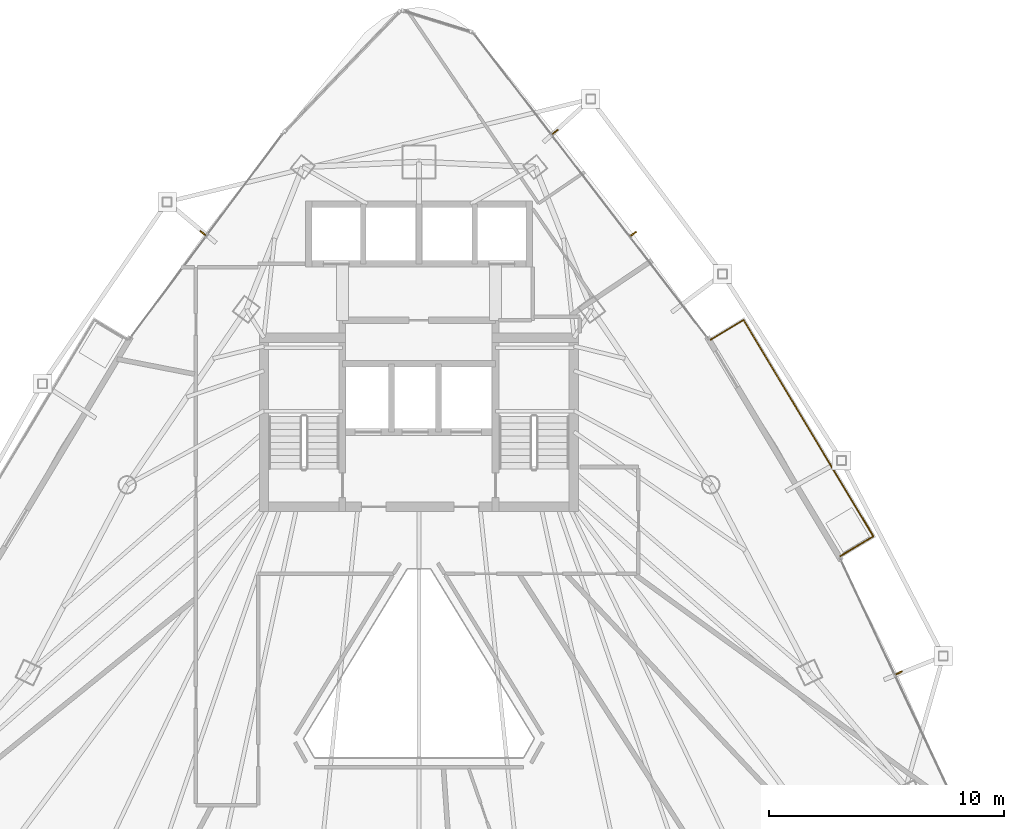
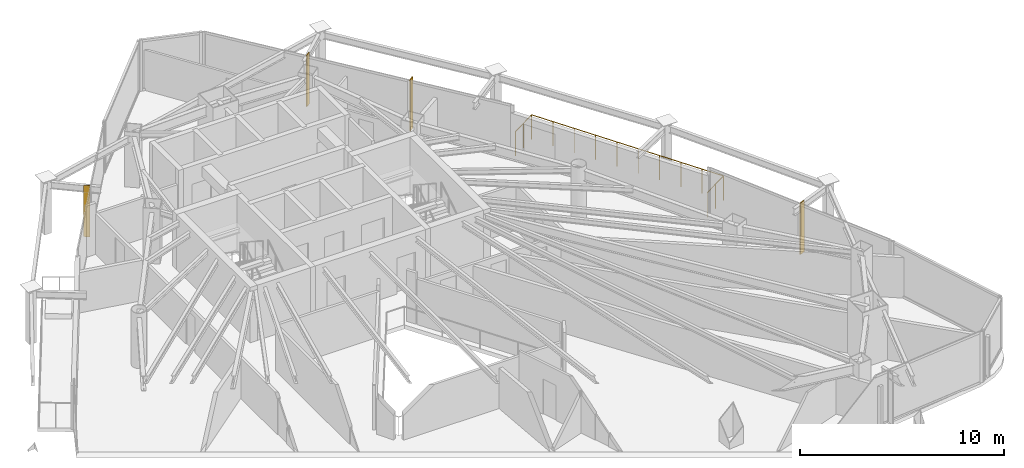
# One storey, part 29 of 29: 4 shading devices, 1 railing.
"""IFC4 building model written with IfcOpenShell, lengths in metres."""

from ifc_helpers import new_model, si_unit, direction, frame, origin, origin_2d, place, context, subcontext, project, spatial, rectangle, circle, extrude, material, layer, layer_set, type_object, element, save


model = new_model("IFC4")

# Units and contexts
model_context = context("Model", 3, precision=1e-05, world=origin(), true_north=direction((0.0, 1.0)))
body_context = subcontext(model_context, "Body", "Model", "MODEL_VIEW")
ifc_project = project(units=[si_unit("LENGTHUNIT", "METRE"), si_unit("AREAUNIT", "SQUARE_METRE"), si_unit("VOLUMEUNIT", "CUBIC_METRE"), si_unit("PLANEANGLEUNIT", "RADIAN"), si_unit("MASSUNIT", "GRAM", prefix="KILO")], contexts=[model_context])

# Site, building, storey
site_placement = place(None, origin())
site = spatial("IfcSite", under=ifc_project, at=site_placement, CompositionType="ELEMENT")
building_placement = place(site_placement, origin())
building = spatial("IfcBuilding", under=site, at=building_placement, Name="Orvanel Arch Residences", CompositionType="ELEMENT")
storey_placement = place(building_placement, frame((0.0, 0.0, 167.14990234375)))
storey = spatial("IfcBuildingStorey", under=building, at=storey_placement, Name="L47", CompositionType="ELEMENT", Elevation=167.14990234375)

# Shading devices
ifc_material = material(Name="Bronze-anodised aluminium AA6063-T6", Category="aluminium")
ifc_layer = layer(ifc_material, 0.054931640625)
ifc_layer_set = layer_set([ifc_layer], Name="Bronze-anodised aluminium AA6063-T6")
shading_device_type = type_object("IfcShadingDeviceType", Name="FIN-BRZ-320", PredefinedType="USERDEFINED", material=ifc_layer_set)
for number, where, z_axis, x_axis, name in (
    (1, (23.800048828125, 38.360107421875, 0.0), (0.0, 0.0, 1.0), (-0.801775644244, 0.597625146976, 0.0), "L47 Anodised Bronze Mullion FIN 01"),
    (2, (53.43798828125, 19.6259765625, 0.0), (0.0, 0.0, 1.0), (0.904827052466, 0.425779291565, 0.0), "L47 Anodised Bronze Mullion FIN 01"),
    (3, (42.1298828125, 38.327880859375, 0.0), (0.0, 0.0, 1.0), (0.793353340291, 0.608761429009, 0.0), "L47 Anodised Bronze Mullion FIN 01"),
    (4, (38.794921875, 42.669921875, 0.0), (0.0, 0.0, 1.0), (0.793353340291, 0.608761429009, 0.0), "L47 Anodised Bronze Mullion FIN 02"),
):
    element("IfcShadingDevice", number, at=place(storey_placement, frame(where, z_axis=z_axis, x_axis=x_axis)), inside=storey, type_object=shading_device_type, Name=name, ObjectType="FIN", PredefinedType="USERDEFINED", context=body_context, shape_type="SweptSolid", body=[
        extrude(rectangle(XDim=0.320068359375, YDim=0.054931640625, at=origin_2d()), origin(), (0.0, 0.0, 1.0), 3.06005859375),
    ])

# Railing
railing_type = type_object("IfcRailingType", Name="RL-BAL-1480", PredefinedType="BALUSTRADE", material=ifc_material)
railing_placement = place(storey_placement, frame((50.947021484375, 24.60400390625, 0.0)))
element("IfcRailing", 5, at=railing_placement, inside=storey, type_object=railing_type, Name="L47 Balcony Perimeter Guardrail Face 3", PredefinedType="BALUSTRADE", context=body_context, shape_type="SweptSolid", body=[
    extrude(circle(Radius=0.02392578125, at=origin_2d()), frame((0.001220703125, 0.000732421875, 1.4560546875), z_axis=(0.857545439568, 0.514408222208, 0.0), x_axis=(-0.514408222208, 0.857545439568, 0.0)), (0.0, 0.0, 1.0), 1.6376953125),
    extrude(circle(Radius=0.02392578125, at=origin_2d()), frame((1.40625, 0.84521484375, 1.4560546875), z_axis=(-0.514402191401, 0.857549057187, 0.0), x_axis=(-0.857549057187, -0.514402191401, 0.0)), (0.0, 0.0, 1.0), 10.74169921875),
    extrude(circle(Radius=0.02392578125, at=origin_2d()), frame((-4.121337890625, 10.057373046875, 1.4560546875), z_axis=(-0.857387817543, -0.514670895164, 0.0), x_axis=(0.514670895164, -0.857387817543, 0.0)), (0.0, 0.0, 1.0), 1.636962890625),
    extrude(circle(Radius=0.02099609375, at=origin_2d()), origin(), (0.0, 0.0, 1.0), 1.429931640625),
    extrude(circle(Radius=0.02099609375, at=origin_2d()), frame((0.70361328125, 0.421875, 0.0)), (0.0, 0.0, 1.0), 1.429931640625),
    extrude(circle(Radius=0.02099609375, at=origin_2d()), frame((1.406982421875, 0.843994140625, 0.0)), (0.0, 0.0, 1.0), 1.429931640625),
    extrude(circle(Radius=0.02099609375, at=origin_2d()), frame((0.79296875, 1.86767578125, 0.0)), (0.0, 0.0, 1.0), 1.429931640625),
    extrude(circle(Radius=0.02099609375, at=origin_2d()), frame((0.1787109375, 2.8916015625, 0.0)), (0.0, 0.0, 1.0), 1.429931640625),
    extrude(circle(Radius=0.02099609375, at=origin_2d()), frame((-0.435302734375, 3.915283203125, 0.0)), (0.0, 0.0, 1.0), 1.429931640625),
    extrude(circle(Radius=0.02099609375, at=origin_2d()), frame((-1.049560546875, 4.939208984375, 0.0)), (0.0, 0.0, 1.0), 1.429931640625),
    extrude(circle(Radius=0.02099609375, at=origin_2d()), frame((-1.66357421875, 5.962890625, 0.0)), (0.0, 0.0, 1.0), 1.429931640625),
    extrude(circle(Radius=0.02099609375, at=origin_2d()), frame((-2.27783203125, 6.98681640625, 0.0)), (0.0, 0.0, 1.0), 1.429931640625),
    extrude(circle(Radius=0.02099609375, at=origin_2d()), frame((-2.891845703125, 8.010498046875, 0.0)), (0.0, 0.0, 1.0), 1.429931640625),
    extrude(circle(Radius=0.02099609375, at=origin_2d()), frame((-3.506103515625, 9.034423828125, 0.0)), (0.0, 0.0, 1.0), 1.429931640625),
    extrude(circle(Radius=0.02099609375, at=origin_2d()), frame((-4.1201171875, 10.05810546875, 0.0)), (0.0, 0.0, 1.0), 1.429931640625),
    extrude(circle(Radius=0.02099609375, at=origin_2d()), frame((-4.8232421875, 9.63623046875, 0.0)), (0.0, 0.0, 1.0), 1.429931640625),
    extrude(circle(Radius=0.02099609375, at=origin_2d()), frame((-5.526123046875, 9.214111328125, 0.0)), (0.0, 0.0, 1.0), 1.429931640625),
])

save(model, "model.ifc")
